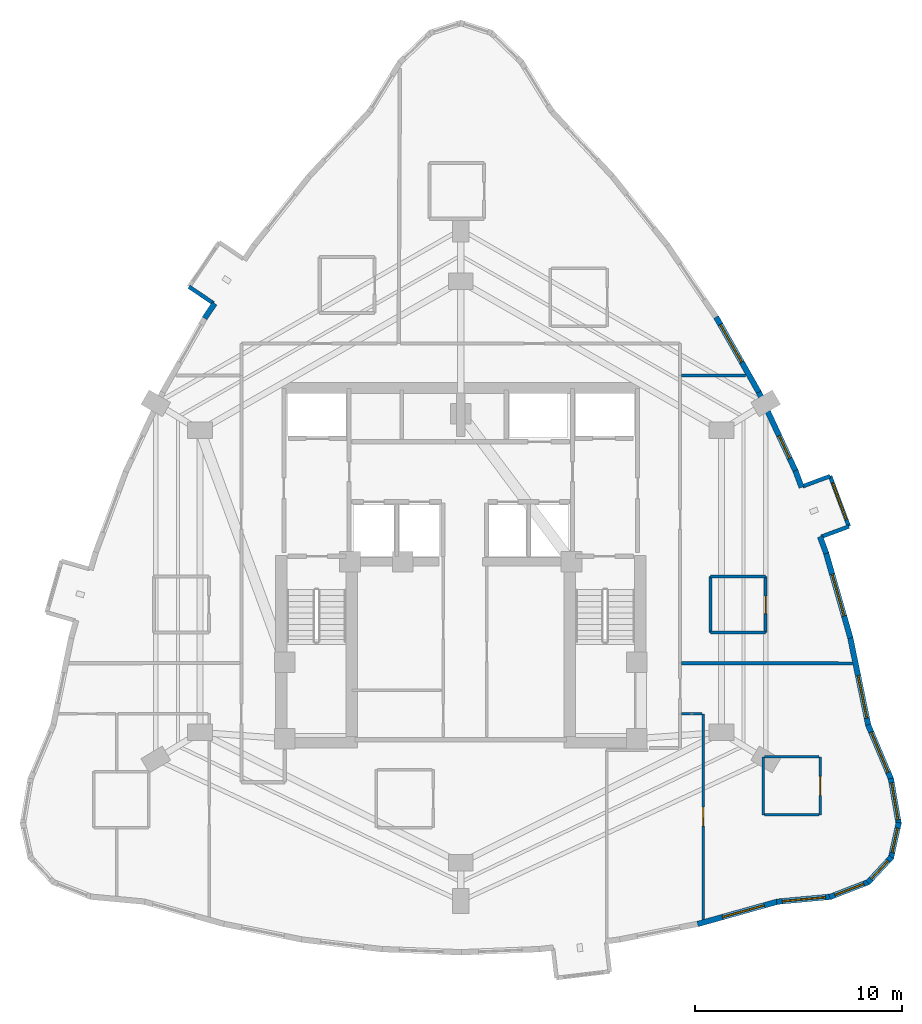
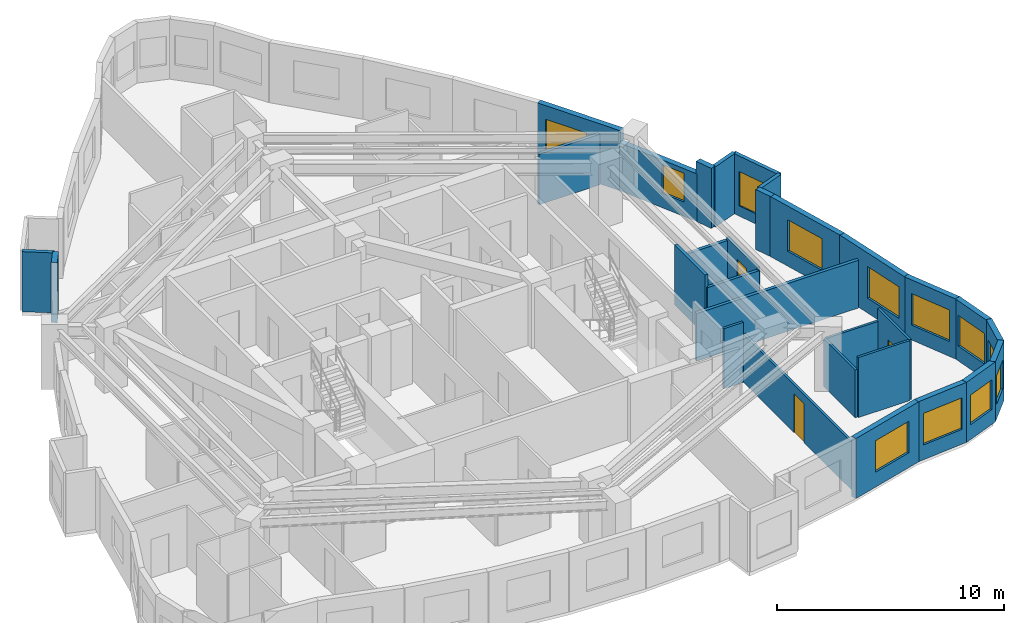
# One storey, part 6 of 9: 30 walls, 12 windows, 3 doors, 15 openings.
"""IFC4 building model written with IfcOpenShell, lengths in metres."""

from ifc_helpers import new_model, si_unit, direction, frame, frame_2d, origin, place, context, subcontext, project, spatial, rectangle, extrude, material, layer, layer_set, type_object, element, fill, save


model = new_model("IFC4")

# Units and contexts
model_context = context("Model", 3, precision=1e-05, world=origin(), true_north=direction((0.0, 1.0)))
body_context = subcontext(model_context, "Body", "Model", "MODEL_VIEW")
ifc_project = project(units=[si_unit("LENGTHUNIT", "METRE"), si_unit("AREAUNIT", "SQUARE_METRE"), si_unit("VOLUMEUNIT", "CUBIC_METRE"), si_unit("PLANEANGLEUNIT", "RADIAN"), si_unit("MASSUNIT", "GRAM", prefix="KILO")], contexts=[model_context])

# Site, building, storey
site_placement = place(None, origin())
site = spatial("IfcSite", under=ifc_project, at=site_placement, CompositionType="ELEMENT")
building_placement = place(site_placement, origin())
building = spatial("IfcBuilding", under=site, at=building_placement, Name="Miruveldt Soraemaru", CompositionType="ELEMENT")
storey_placement = place(building_placement, frame((0.0, 0.0, 170.39990234375)))
storey = spatial("IfcBuildingStorey", under=building, at=storey_placement, Name="L47", CompositionType="ELEMENT", Elevation=170.39990234375)

# Walls
ifc_material_1 = material(Name="White powder-coated aluminium EN AW-6060 T6", Category="aluminium")
ifc_layer_1 = layer(ifc_material_1, 0.18994140625, Name="White powder-coated aluminium EN AW-6060 T6", Category="aluminium")
ifc_layer_set_1 = layer_set([ifc_layer_1], Name="White powder-coated aluminium EN AW-6060 T6")
wall_type_1 = type_object("IfcWallType", Name="WALL-BAY-ALU190", PredefinedType="SOLIDWALL", material=ifc_layer_set_1)
for number, where, z_axis, x_axis, name in (
    (1, (30.864990234375, 57.342529296875, 0.0), (0.0, 0.0, 1.0), (0.827862228344, -0.560931485016, 0.0), "L47 Bay Window Side Cheek 1R"),
    (2, (61.424560546875, 45.257080078125, 0.0), (0.0, 0.0, 1.0), (0.937129361406, 0.348982177182, 0.0), "L47 Bay Window Side Cheek 4L"),
    (3, (61.8525390625, 48.19091796875, 0.0), (0.0, 0.0, 1.0), (-0.937129361406, -0.348982177182, 0.0), "L47 Bay Window Side Cheek 4R"),
):
    element("IfcWall", number, at=place(storey_placement, frame(where, z_axis=z_axis, x_axis=x_axis)), inside=storey, type_object=wall_type_1, Name=name, PredefinedType="SOLIDWALL", context=body_context, shape_type="SweptSolid", body=[
        extrude(rectangle(XDim=1.425048828125, YDim=0.18994140625, at=frame_2d((0.71240234375, 0.0))), origin(), (0.0, 0.0, 1.0), 3.235107421875),
    ])

# Wall, opening, window
wall_1_placement = place(storey_placement, frame((62.760009765625, 45.75439453125, 0.0), z_axis=(0.0, 0.0, 1.0), x_axis=(-0.349023333144, 0.937114034107, 0.0)))
wall_1 = element("IfcWall", 4, at=wall_1_placement, inside=storey, type_object=wall_type_1, Name="L47 Bay Window Front Frame 4", PredefinedType="SOLIDWALL", context=body_context, shape_type="SweptSolid", body=[
    extrude(rectangle(XDim=2.60009765625, YDim=0.18994140625, at=frame_2d((1.300048828125, 0.0))), origin(), (0.0, 0.0, 1.0), 3.235107421875),
])
opening_1_placement = place(wall_1_placement, frame((0.35009765625, 0.0, 0.550048828125)))
opening_1 = element("IfcOpeningElement", 5, at=opening_1_placement, cuts=wall_1, Name="Opening WN-6", PredefinedType="OPENING", context=body_context, shape_type="SweptSolid", body=[
    extrude(rectangle(XDim=1.89990234375, YDim=1.85009765625, at=frame_2d((0.949951171875, 0.925048828125))), frame((0.0, 0.10498046875, 0.0), z_axis=(0.0, -1.0, 0.0), x_axis=(1.0, 0.0, 0.0)), (0.0, 0.0, 1.0), 0.2099609375),
])
ifc_material_2 = material(Name="Triple low-e insulated glazing", Category="glass")
window_type_1 = type_object("IfcWindowType", Name="WIN-BAYW-1900x1850", PartitioningType="SINGLE_PANEL", PredefinedType="WINDOW", material=ifc_material_2)
window_1_placement = place(opening_1_placement, origin())
window_1 = element("IfcWindow", 6, at=window_1_placement, inside=storey, type_object=window_type_1, Name="L47 Projecting Bay Window 4", OverallHeight=1.85009765625, OverallWidth=1.89990234375, PartitioningType="SINGLE_PANEL", PredefinedType="WINDOW", context=body_context, shape_type="SweptSolid", body=[
    extrude(rectangle(XDim=1.89990234375, YDim=1.85009765625, at=frame_2d((0.949951171875, 0.925048828125))), frame((0.0, 0.030029296875, 0.0), z_axis=(0.0, -1.0, 0.0), x_axis=(1.0, 0.0, 0.0)), (0.0, 0.0, 1.0), 0.06005859375),
])
fill(opening_1, window_1)

# Wall
ifc_material_3 = material(Name="Precast concrete C45/55 (45 MPa)", Category="concrete")
ifc_layer_2 = layer(ifc_material_3, 0.27001953125, Name="Precast concrete C45/55 (45 MPa)", Category="concrete")
ifc_layer_set_2 = layer_set([ifc_layer_2], Name="Precast concrete C45/55 (45 MPa)")
wall_type_2 = type_object("IfcWallType", Name="WALL-EXT-PC270", PredefinedType="SOLIDWALL", material=ifc_layer_set_2)
wall_2_placement = place(storey_placement, frame((32.10693359375, 56.537353515625, 0.0), z_axis=(0.0, 0.0, 1.0), x_axis=(-0.560661430065, -0.828045144203, 0.0)))
element("IfcWall", 7, at=wall_2_placement, inside=storey, type_object=wall_type_2, Name="L47 Precast Pier Wall 9B", PredefinedType="SOLIDWALL", context=body_context, shape_type="SweptSolid", body=[
    extrude(rectangle(XDim=0.867431640625, YDim=0.27001953125, at=frame_2d((0.43359375, 0.0))), origin(), (0.0, 0.0, 1.0), 3.235107421875),
])

# Wall, opening, window
wall_3_placement = place(storey_placement, frame((55.44384765625, 26.54052734375, 0.0), z_axis=(0.0, 0.0, 1.0), x_axis=(0.962966528266, 0.269620966245, 0.0)))
wall_3 = element("IfcWall", 8, at=wall_3_placement, inside=storey, type_object=wall_type_2, Name="L47 Precast Concrete Facade Wall 28", PredefinedType="SOLIDWALL", context=body_context, shape_type="SweptSolid", body=[
    extrude(rectangle(XDim=4.04296875, YDim=0.27001953125, at=frame_2d((2.021484375, 0.0))), origin(), (0.0, 0.0, 1.0), 3.235107421875),
])
opening_2_placement = place(wall_3_placement, frame((1.25, 0.0, 0.800048828125)))
opening_2 = element("IfcOpeningElement", 9, at=opening_2_placement, cuts=wall_3, Name="Opening WN-1", PredefinedType="OPENING", context=body_context, shape_type="SweptSolid", body=[
    extrude(rectangle(XDim=2.10009765625, YDim=1.699951171875, at=frame_2d((1.050048828125, 0.85009765625))), frame((0.0, 0.14501953125, 0.0), z_axis=(0.0, -1.0, 0.0), x_axis=(1.0, 0.0, 0.0)), (0.0, 0.0, 1.0), 0.2900390625),
])
window_type_2 = type_object("IfcWindowType", Name="WIN-PUNCH-2100x1700", PartitioningType="SINGLE_PANEL", PredefinedType="WINDOW", material=ifc_material_2)
window_2_placement = place(opening_2_placement, origin())
window_2 = element("IfcWindow", 10, at=window_2_placement, inside=storey, type_object=window_type_2, Name="L47 Punched Triple-Glazed Window 28.1", OverallHeight=1.699951171875, OverallWidth=2.10009765625, PartitioningType="SINGLE_PANEL", PredefinedType="WINDOW", context=body_context, shape_type="SweptSolid", body=[
    extrude(rectangle(XDim=2.10009765625, YDim=1.699951171875, at=frame_2d((1.050048828125, 0.85009765625))), frame((0.0, 0.030029296875, 0.0), z_axis=(0.0, -1.0, 0.0), x_axis=(1.0, 0.0, 0.0)), (0.0, 0.0, 1.0), 0.06005859375),
])
fill(opening_2, window_2)

wall_4_placement = place(storey_placement, frame((59.2685546875, 27.617919921875, 0.0), z_axis=(0.0, 0.0, 1.0), x_axis=(0.995763558501, 0.091950723555, 0.0)))
wall_4 = element("IfcWall", 11, at=wall_4_placement, inside=storey, type_object=wall_type_2, Name="L47 Precast Concrete Facade Wall 29", PredefinedType="SOLIDWALL", context=body_context, shape_type="SweptSolid", body=[
    extrude(rectangle(XDim=2.64453125, YDim=0.27001953125, at=frame_2d((1.322265625, 0.0))), origin(), (0.0, 0.0, 1.0), 3.235107421875),
])
opening_3_placement = place(wall_4_placement, frame((0.27197265625, 0.0, 0.800048828125)))
opening_3 = element("IfcOpeningElement", 12, at=opening_3_placement, cuts=wall_4, Name="Opening WN-1", PredefinedType="OPENING", context=body_context, shape_type="SweptSolid", body=[
    extrude(rectangle(XDim=2.10009765625, YDim=1.699951171875, at=frame_2d((1.050048828125, 0.85009765625))), frame((0.0, 0.14501953125, 0.0), z_axis=(0.0, -1.0, 0.0), x_axis=(1.0, 0.0, 0.0)), (0.0, 0.0, 1.0), 0.2900390625),
])
window_3_placement = place(opening_3_placement, origin())
window_3 = element("IfcWindow", 13, at=window_3_placement, inside=storey, type_object=window_type_2, Name="L47 Punched Triple-Glazed Window 29.1", OverallHeight=1.699951171875, OverallWidth=2.10009765625, PartitioningType="SINGLE_PANEL", PredefinedType="WINDOW", context=body_context, shape_type="SweptSolid", body=[
    extrude(rectangle(XDim=2.10009765625, YDim=1.699951171875, at=frame_2d((1.050048828125, 0.85009765625))), frame((0.0, 0.030029296875, 0.0), z_axis=(0.0, -1.0, 0.0), x_axis=(1.0, 0.0, 0.0)), (0.0, 0.0, 1.0), 0.06005859375),
])
fill(opening_3, window_3)

wall_5_placement = place(storey_placement, frame((61.834228515625, 27.84521484375, 0.0), z_axis=(0.0, 0.0, 1.0), x_axis=(0.932267974852, 0.361768466101, 0.0)))
wall_5 = element("IfcWall", 14, at=wall_5_placement, inside=storey, type_object=wall_type_2, Name="L47 Precast Concrete Facade Wall 30", PredefinedType="SOLIDWALL", context=body_context, shape_type="SweptSolid", body=[
    extrude(rectangle(XDim=2.033935546875, YDim=0.27001953125, at=frame_2d((1.01708984375, 0.0))), origin(), (0.0, 0.0, 1.0), 3.235107421875),
])
opening_4_placement = place(wall_5_placement, frame((0.26708984375, 0.0, 0.800048828125)))
opening_4 = element("IfcOpeningElement", 15, at=opening_4_placement, cuts=wall_5, Name="Opening WN-3", PredefinedType="OPENING", context=body_context, shape_type="SweptSolid", body=[
    extrude(rectangle(XDim=1.5, YDim=1.60009765625, at=frame_2d((0.75, 0.800048828125))), frame((0.0, 0.14501953125, 0.0), z_axis=(0.0, -1.0, 0.0), x_axis=(1.0, 0.0, 0.0)), (0.0, 0.0, 1.0), 0.2900390625),
])
window_type_3 = type_object("IfcWindowType", Name="WIN-PUNCH-1500x1600", PartitioningType="SINGLE_PANEL", PredefinedType="WINDOW", material=ifc_material_2)
window_4_placement = place(opening_4_placement, origin())
window_4 = element("IfcWindow", 16, at=window_4_placement, inside=storey, type_object=window_type_3, Name="L47 Punched Triple-Glazed Window 30.1", OverallHeight=1.60009765625, OverallWidth=1.5, PartitioningType="SINGLE_PANEL", PredefinedType="WINDOW", context=body_context, shape_type="SweptSolid", body=[
    extrude(rectangle(XDim=1.5, YDim=1.60009765625, at=frame_2d((0.75, 0.800048828125))), frame((0.0, 0.030029296875, 0.0), z_axis=(0.0, -1.0, 0.0), x_axis=(1.0, 0.0, 0.0)), (0.0, 0.0, 1.0), 0.06005859375),
])
fill(opening_4, window_4)

wall_6_placement = place(storey_placement, frame((63.674072265625, 28.54248046875, 0.0), z_axis=(0.0, 0.0, 1.0), x_axis=(0.68010098508, 0.733118442064, 0.0)))
wall_6 = element("IfcWall", 17, at=wall_6_placement, inside=storey, type_object=wall_type_2, Name="L47 Precast Concrete Facade Wall 31", PredefinedType="SOLIDWALL", context=body_context, shape_type="SweptSolid", body=[
    extrude(rectangle(XDim=1.685302734375, YDim=0.27001953125, at=frame_2d((0.8427734375, 0.0))), origin(), (0.0, 0.0, 1.0), 3.235107421875),
])
opening_5_placement = place(wall_6_placement, frame((0.241943359375, 0.0, 0.780029296875)))
opening_5 = element("IfcOpeningElement", 18, at=opening_5_placement, cuts=wall_6, Name="Opening WN-4", PredefinedType="OPENING", context=body_context, shape_type="SweptSolid", body=[
    extrude(rectangle(XDim=1.199951171875, YDim=1.550048828125, at=frame_2d((0.60009765625, 0.77490234375))), frame((0.0, 0.14501953125, 0.0), z_axis=(0.0, -1.0, 0.0), x_axis=(1.0, 0.0, 0.0)), (0.0, 0.0, 1.0), 0.2900390625),
])
window_type_4 = type_object("IfcWindowType", Name="WIN-PUNCH-1200x1550", PartitioningType="SINGLE_PANEL", PredefinedType="WINDOW", material=ifc_material_2)
window_5_placement = place(opening_5_placement, origin())
window_5 = element("IfcWindow", 19, at=window_5_placement, inside=storey, type_object=window_type_4, Name="L47 Punched Triple-Glazed Window 31.1", OverallHeight=1.550048828125, OverallWidth=1.199951171875, PartitioningType="SINGLE_PANEL", PredefinedType="WINDOW", context=body_context, shape_type="SweptSolid", body=[
    extrude(rectangle(XDim=1.199951171875, YDim=1.550048828125, at=frame_2d((0.60009765625, 0.77490234375))), frame((0.0, 0.030029296875, 0.0), z_axis=(0.0, -1.0, 0.0), x_axis=(1.0, 0.0, 0.0)), (0.0, 0.0, 1.0), 0.06005859375),
])
fill(opening_5, window_5)

wall_7_placement = place(storey_placement, frame((64.788818359375, 29.718017578125, 0.0), z_axis=(0.0, 0.0, 1.0), x_axis=(0.215862834364, 0.976423697347, 0.0)))
wall_7 = element("IfcWall", 20, at=wall_7_placement, inside=storey, type_object=wall_type_2, Name="L47 Precast Concrete Facade Wall 32", PredefinedType="SOLIDWALL", context=body_context, shape_type="SweptSolid", body=[
    extrude(rectangle(XDim=1.767822265625, YDim=0.27001953125, at=frame_2d((0.8837890625, 0.0))), origin(), (0.0, 0.0, 1.0), 3.235107421875),
])
opening_6_placement = place(wall_7_placement, frame((0.283935546875, 0.0, 0.780029296875)))
opening_6 = element("IfcOpeningElement", 21, at=opening_6_placement, cuts=wall_7, Name="Opening WN-4", PredefinedType="OPENING", context=body_context, shape_type="SweptSolid", body=[
    extrude(rectangle(XDim=1.199951171875, YDim=1.550048828125, at=frame_2d((0.60009765625, 0.77490234375))), frame((0.0, 0.14501953125, 0.0), z_axis=(0.0, -1.0, 0.0), x_axis=(1.0, 0.0, 0.0)), (0.0, 0.0, 1.0), 0.2900390625),
])
window_6_placement = place(opening_6_placement, origin())
window_6 = element("IfcWindow", 22, at=window_6_placement, inside=storey, type_object=window_type_4, Name="L47 Punched Triple-Glazed Window 32.1", OverallHeight=1.550048828125, OverallWidth=1.199951171875, PartitioningType="SINGLE_PANEL", PredefinedType="WINDOW", context=body_context, shape_type="SweptSolid", body=[
    extrude(rectangle(XDim=1.199951171875, YDim=1.550048828125, at=frame_2d((0.60009765625, 0.77490234375))), frame((0.0, 0.030029296875, 0.0), z_axis=(0.0, -1.0, 0.0), x_axis=(1.0, 0.0, 0.0)), (0.0, 0.0, 1.0), 0.06005859375),
])
fill(opening_6, window_6)

wall_8_placement = place(storey_placement, frame((65.168701171875, 31.37548828125, 0.0), z_axis=(0.0, 0.0, 1.0), x_axis=(-0.169397854445, 0.985547749685, 0.0)))
wall_8 = element("IfcWall", 23, at=wall_8_placement, inside=storey, type_object=wall_type_2, Name="L47 Precast Concrete Facade Wall 33", PredefinedType="SOLIDWALL", context=body_context, shape_type="SweptSolid", body=[
    extrude(rectangle(XDim=2.232421875, YDim=0.27001953125, at=frame_2d((1.1162109375, 0.0))), origin(), (0.0, 0.0, 1.0), 3.235107421875),
])
opening_7_placement = place(wall_8_placement, frame((0.216064453125, 0.0, 0.800048828125)))
opening_7 = element("IfcOpeningElement", 24, at=opening_7_placement, cuts=wall_8, Name="Opening WN-2", PredefinedType="OPENING", context=body_context, shape_type="SweptSolid", body=[
    extrude(rectangle(XDim=1.800048828125, YDim=1.64990234375, at=frame_2d((0.89990234375, 0.824951171875))), frame((0.0, 0.14501953125, 0.0), z_axis=(0.0, -1.0, 0.0), x_axis=(1.0, 0.0, 0.0)), (0.0, 0.0, 1.0), 0.2900390625),
])
window_type_5 = type_object("IfcWindowType", Name="WIN-PUNCH-1800x1650", PartitioningType="SINGLE_PANEL", PredefinedType="WINDOW", material=ifc_material_2)
window_7_placement = place(opening_7_placement, origin())
window_7 = element("IfcWindow", 25, at=window_7_placement, inside=storey, type_object=window_type_5, Name="L47 Punched Triple-Glazed Window 33.1", OverallHeight=1.64990234375, OverallWidth=1.800048828125, PartitioningType="SINGLE_PANEL", PredefinedType="WINDOW", context=body_context, shape_type="SweptSolid", body=[
    extrude(rectangle(XDim=1.800048828125, YDim=1.64990234375, at=frame_2d((0.89990234375, 0.824951171875))), frame((0.0, 0.030029296875, 0.0), z_axis=(0.0, -1.0, 0.0), x_axis=(1.0, 0.0, 0.0)), (0.0, 0.0, 1.0), 0.06005859375),
])
fill(opening_7, window_7)

wall_9_placement = place(storey_placement, frame((64.81005859375, 33.5087890625, 0.0), z_axis=(0.0, 0.0, 1.0), x_axis=(-0.388603247953, 0.921405185399, 0.0)))
wall_9 = element("IfcWall", 26, at=wall_9_placement, inside=storey, type_object=wall_type_2, Name="L47 Precast Concrete Facade Wall 34", PredefinedType="SOLIDWALL", context=body_context, shape_type="SweptSolid", body=[
    extrude(rectangle(XDim=2.89697265625, YDim=0.27001953125, at=frame_2d((1.448486328125, 0.0))), origin(), (0.0, 0.0, 1.0), 3.235107421875),
])
opening_8_placement = place(wall_9_placement, frame((0.39892578125, 0.0, 0.800048828125)))
opening_8 = element("IfcOpeningElement", 27, at=opening_8_placement, cuts=wall_9, Name="Opening WN-1", PredefinedType="OPENING", context=body_context, shape_type="SweptSolid", body=[
    extrude(rectangle(XDim=2.10009765625, YDim=1.699951171875, at=frame_2d((1.050048828125, 0.85009765625))), frame((0.0, 0.14501953125, 0.0), z_axis=(0.0, -1.0, 0.0), x_axis=(1.0, 0.0, 0.0)), (0.0, 0.0, 1.0), 0.2900390625),
])
window_8_placement = place(opening_8_placement, origin())
window_8 = element("IfcWindow", 28, at=window_8_placement, inside=storey, type_object=window_type_2, Name="L47 Punched Triple-Glazed Window 34.1", OverallHeight=1.699951171875, OverallWidth=2.10009765625, PartitioningType="SINGLE_PANEL", PredefinedType="WINDOW", context=body_context, shape_type="SweptSolid", body=[
    extrude(rectangle(XDim=2.10009765625, YDim=1.699951171875, at=frame_2d((1.050048828125, 0.85009765625))), frame((0.0, 0.030029296875, 0.0), z_axis=(0.0, -1.0, 0.0), x_axis=(1.0, 0.0, 0.0)), (0.0, 0.0, 1.0), 0.06005859375),
])
fill(opening_8, window_8)

wall_10_placement = place(storey_placement, frame((63.705078125, 36.111572265625, 0.0), z_axis=(0.0, 0.0, 1.0), x_axis=(-0.20160132196, 0.979467665104, 0.0)))
wall_10 = element("IfcWall", 29, at=wall_10_placement, inside=storey, type_object=wall_type_2, Name="L47 Precast Concrete Facade Wall 35", PredefinedType="SOLIDWALL", context=body_context, shape_type="SweptSolid", body=[
    extrude(rectangle(XDim=4.40576171875, YDim=0.27001953125, at=frame_2d((2.202880859375, 0.0))), origin(), (0.0, 0.0, 1.0), 3.235107421875),
])
opening_9_placement = place(wall_10_placement, frame((0.389892578125, 0.0, 0.800048828125)))
opening_9 = element("IfcOpeningElement", 30, at=opening_9_placement, cuts=wall_10, Name="Opening WN-1", PredefinedType="OPENING", context=body_context, shape_type="SweptSolid", body=[
    extrude(rectangle(XDim=2.10009765625, YDim=1.699951171875, at=frame_2d((1.050048828125, 0.85009765625))), frame((0.0, 0.14501953125, 0.0), z_axis=(0.0, -1.0, 0.0), x_axis=(1.0, 0.0, 0.0)), (0.0, 0.0, 1.0), 0.2900390625),
])
window_9_placement = place(opening_9_placement, origin())
window_9 = element("IfcWindow", 31, at=window_9_placement, inside=storey, type_object=window_type_2, Name="L47 Punched Triple-Glazed Window 35.1", OverallHeight=1.699951171875, OverallWidth=2.10009765625, PartitioningType="SINGLE_PANEL", PredefinedType="WINDOW", context=body_context, shape_type="SweptSolid", body=[
    extrude(rectangle(XDim=2.10009765625, YDim=1.699951171875, at=frame_2d((1.050048828125, 0.85009765625))), frame((0.0, 0.030029296875, 0.0), z_axis=(0.0, -1.0, 0.0), x_axis=(1.0, 0.0, 0.0)), (0.0, 0.0, 1.0), 0.06005859375),
])
fill(opening_9, window_9)

wall_11_placement = place(storey_placement, frame((62.83349609375, 40.358642578125, 0.0), z_axis=(0.0, 0.0, 1.0), x_axis=(-0.274959546447, 0.961455796081, 0.0)))
wall_11 = element("IfcWall", 32, at=wall_11_placement, inside=storey, type_object=wall_type_2, Name="L47 Precast Concrete Facade Wall 36", PredefinedType="SOLIDWALL", context=body_context, shape_type="SweptSolid", body=[
    extrude(rectangle(XDim=4.32763671875, YDim=0.27001953125, at=frame_2d((2.163818359375, 0.0))), origin(), (0.0, 0.0, 1.0), 3.235107421875),
])
opening_10_placement = place(wall_11_placement, frame((1.114013671875, 0.0, 0.800048828125)))
opening_10 = element("IfcOpeningElement", 33, at=opening_10_placement, cuts=wall_11, Name="Opening WN-1", PredefinedType="OPENING", context=body_context, shape_type="SweptSolid", body=[
    extrude(rectangle(XDim=2.10009765625, YDim=1.699951171875, at=frame_2d((1.050048828125, 0.85009765625))), frame((0.0, 0.14501953125, 0.0), z_axis=(0.0, -1.0, 0.0), x_axis=(1.0, 0.0, 0.0)), (0.0, 0.0, 1.0), 0.2900390625),
])
window_10_placement = place(opening_10_placement, origin())
window_10 = element("IfcWindow", 34, at=window_10_placement, inside=storey, type_object=window_type_2, Name="L47 Punched Triple-Glazed Window 36.1", OverallHeight=1.699951171875, OverallWidth=2.10009765625, PartitioningType="SINGLE_PANEL", PredefinedType="WINDOW", context=body_context, shape_type="SweptSolid", body=[
    extrude(rectangle(XDim=2.10009765625, YDim=1.699951171875, at=frame_2d((1.050048828125, 0.85009765625))), frame((0.0, 0.030029296875, 0.0), z_axis=(0.0, -1.0, 0.0), x_axis=(1.0, 0.0, 0.0)), (0.0, 0.0, 1.0), 0.06005859375),
])
fill(opening_10, window_10)

# Walls
for number, where, z_axis, x_axis, name in (
    (35, (61.665283203125, 44.453125, 0.0), (0.0, 0.0, 1.0), (-0.348963652288, 0.937136259773, 0.0), "L47 Precast Pier Wall 37A"),
    (36, (60.476318359375, 47.646240234375, 0.0), (0.0, 0.0, 1.0), (-0.349302870024, 0.937009874544, 0.0), "L47 Precast Pier Wall 37B"),
):
    element("IfcWall", number, at=place(storey_placement, frame(where, z_axis=z_axis, x_axis=x_axis)), inside=storey, type_object=wall_type_2, Name=name, PredefinedType="SOLIDWALL", context=body_context, shape_type="SweptSolid", body=[
        extrude(rectangle(XDim=0.867431640625, YDim=0.27001953125, at=frame_2d((0.43359375, 0.0))), origin(), (0.0, 0.0, 1.0), 3.235107421875),
    ])

# Wall, opening, window
wall_12_placement = place(storey_placement, frame((60.200439453125, 48.39453125, 0.0), z_axis=(0.0, 0.0, 1.0), x_axis=(-0.422331680963, 0.906441366694, 0.0)))
wall_12 = element("IfcWall", 37, at=wall_12_placement, inside=storey, type_object=wall_type_2, Name="L47 Precast Concrete Facade Wall 38", PredefinedType="SOLIDWALL", context=body_context, shape_type="SweptSolid", body=[
    extrude(rectangle(XDim=4.248291015625, YDim=0.27001953125, at=frame_2d((2.1240234375, 0.0))), origin(), (0.0, 0.0, 1.0), 2.572998046875),
])
opening_11_placement = place(wall_12_placement, frame((0.72412109375, 0.0, 0.780029296875)))
opening_11 = element("IfcOpeningElement", 38, at=opening_11_placement, cuts=wall_12, Name="Opening WN-4", PredefinedType="OPENING", context=body_context, shape_type="SweptSolid", body=[
    extrude(rectangle(XDim=1.199951171875, YDim=1.550048828125, at=frame_2d((0.60009765625, 0.77490234375))), frame((0.0, 0.14501953125, 0.0), z_axis=(0.0, -1.0, 0.0), x_axis=(1.0, 0.0, 0.0)), (0.0, 0.0, 1.0), 0.2900390625),
])
window_11_placement = place(opening_11_placement, origin())
window_11 = element("IfcWindow", 39, at=window_11_placement, inside=storey, type_object=window_type_4, Name="L47 Punched Triple-Glazed Window 38.1", OverallHeight=1.550048828125, OverallWidth=1.199951171875, PartitioningType="SINGLE_PANEL", PredefinedType="WINDOW", context=body_context, shape_type="SweptSolid", body=[
    extrude(rectangle(XDim=1.199951171875, YDim=1.550048828125, at=frame_2d((0.60009765625, 0.77490234375))), frame((0.0, 0.030029296875, 0.0), z_axis=(0.0, -1.0, 0.0), x_axis=(1.0, 0.0, 0.0)), (0.0, 0.0, 1.0), 0.06005859375),
])
fill(opening_11, window_11)

wall_13_placement = place(storey_placement, frame((58.4384765625, 52.183349609375, 0.0), z_axis=(0.0, 0.0, 1.0), x_axis=(-0.493382289932, 0.869812575203, 0.0)))
wall_13 = element("IfcWall", 40, at=wall_13_placement, inside=storey, type_object=wall_type_2, Name="L47 Precast Concrete Facade Wall 39", PredefinedType="SOLIDWALL", context=body_context, shape_type="SweptSolid", body=[
    extrude(rectangle(XDim=4.248046875, YDim=0.27001953125, at=frame_2d((2.1240234375, 0.0))), origin(), (0.0, 0.0, 1.0), 3.235107421875),
])
opening_12_placement = place(wall_13_placement, frame((1.735107421875, 0.0, 0.800048828125)))
opening_12 = element("IfcOpeningElement", 41, at=opening_12_placement, cuts=wall_13, Name="Opening WN-1", PredefinedType="OPENING", context=body_context, shape_type="SweptSolid", body=[
    extrude(rectangle(XDim=2.10009765625, YDim=1.699951171875, at=frame_2d((1.050048828125, 0.85009765625))), frame((0.0, 0.14501953125, 0.0), z_axis=(0.0, -1.0, 0.0), x_axis=(1.0, 0.0, 0.0)), (0.0, 0.0, 1.0), 0.2900390625),
])
window_12_placement = place(opening_12_placement, origin())
window_12 = element("IfcWindow", 42, at=window_12_placement, inside=storey, type_object=window_type_2, Name="L47 Punched Triple-Glazed Window 39.1", OverallHeight=1.699951171875, OverallWidth=2.10009765625, PartitioningType="SINGLE_PANEL", PredefinedType="WINDOW", context=body_context, shape_type="SweptSolid", body=[
    extrude(rectangle(XDim=2.10009765625, YDim=1.699951171875, at=frame_2d((1.050048828125, 0.85009765625))), frame((0.0, 0.030029296875, 0.0), z_axis=(0.0, -1.0, 0.0), x_axis=(1.0, 0.0, 0.0)), (0.0, 0.0, 1.0), 0.06005859375),
])
fill(opening_12, window_12)

# Wall, opening, door
ifc_material_4 = material(Name="Gypsum plasterboard lining", Category="gypsum")
ifc_layer_3 = layer(ifc_material_4, 0.1201171875, Name="Gypsum plasterboard lining", Category="gypsum")
ifc_layer_set_3 = layer_set([ifc_layer_3], Name="Gypsum plasterboard lining")
wall_type_3 = type_object("IfcWallType", Name="WALL-INT-P120", PredefinedType="PARTITIONING", material=ifc_layer_set_3)
wall_14_placement = place(storey_placement, frame((55.72900390625, 36.700927734375, 0.0), z_axis=(0.0, 0.0, 1.0), x_axis=(-0.001917730597, -0.999998161153, 0.0)))
wall_14 = element("IfcWall", 43, at=wall_14_placement, inside=storey, type_object=wall_type_3, Name="L47 Partition Wall 45", PredefinedType="PARTITIONING", context=body_context, shape_type="SweptSolid", body=[
    extrude(rectangle(XDim=9.929931640625, YDim=0.1201171875, at=frame_2d((4.96484375, 0.0))), origin(), (0.0, 0.0, 1.0), 2.572998046875),
])
opening_13_placement = place(wall_14_placement, frame((4.5048828125, 0.0, 0.0)))
opening_13 = element("IfcOpeningElement", 44, at=opening_13_placement, cuts=wall_14, Name="Opening D3A", PredefinedType="OPENING", context=body_context, shape_type="SweptSolid", body=[
    extrude(rectangle(XDim=0.919921875, YDim=2.10009765625, at=frame_2d((0.4599609375, 1.050048828125))), frame((0.0, 0.070068359375, 0.0), z_axis=(0.0, -1.0, 0.0), x_axis=(1.0, 0.0, 0.0)), (0.0, 0.0, 1.0), 0.14013671875),
])
ifc_material_5 = material(Name="Anodised aluminium EN AW-6063 T6", Category="aluminium")
door_type_1 = type_object("IfcDoorType", Name="DOOR-INT-920", OperationType="NOTDEFINED", PredefinedType="DOOR", material=ifc_material_5)
door_1_placement = place(opening_13_placement, origin())
door_1 = element("IfcDoor", 45, at=door_1_placement, inside=storey, type_object=door_type_1, Name="L47 Unit 4705 BD1 Door", OperationType="SINGLE_SWING_LEFT", OverallHeight=2.10009765625, OverallWidth=0.919921875, PredefinedType="DOOR", context=body_context, shape_type="SweptSolid", body=[
    extrude(rectangle(XDim=0.919921875, YDim=2.10009765625, at=frame_2d((0.4599609375, 1.050048828125))), frame((0.0, 0.02490234375, 0.0), z_axis=(0.0, -1.0, 0.0), x_axis=(1.0, 0.0, 0.0)), (0.0, 0.0, 1.0), 0.050048828125),
])
fill(opening_13, door_1)

wall_15_placement = place(storey_placement, frame((61.3798828125, 31.81494140625, 0.0), z_axis=(0.0, 0.0, 1.0), x_axis=(0.0, 1.0, 0.0)))
wall_15 = element("IfcWall", 46, at=wall_15_placement, inside=storey, type_object=wall_type_3, Name="L47 Partition Wall 40", PredefinedType="PARTITIONING", context=body_context, shape_type="SweptSolid", body=[
    extrude(rectangle(XDim=2.800048828125, YDim=0.1201171875, at=frame_2d((1.39990234375, 0.0))), origin(), (0.0, 0.0, 1.0), 3.235107421875),
])
opening_14_placement = place(wall_15_placement, frame((0.93994140625, 0.0, 0.0)))
opening_14 = element("IfcOpeningElement", 47, at=opening_14_placement, cuts=wall_15, Name="Opening D3A", PredefinedType="OPENING", context=body_context, shape_type="SweptSolid", body=[
    extrude(rectangle(XDim=0.919921875, YDim=2.10009765625, at=frame_2d((0.4599609375, 1.050048828125))), frame((0.0, 0.070068359375, 0.0), z_axis=(0.0, -1.0, 0.0), x_axis=(1.0, 0.0, 0.0)), (0.0, 0.0, 1.0), 0.14013671875),
])
door_2_placement = place(opening_14_placement, origin())
door_2 = element("IfcDoor", 48, at=door_2_placement, inside=storey, type_object=door_type_1, Name="L47 Unit 4705 KIT Door", OperationType="SINGLE_SWING_RIGHT", OverallHeight=2.10009765625, OverallWidth=0.919921875, PredefinedType="DOOR", context=body_context, shape_type="SweptSolid", body=[
    extrude(rectangle(XDim=0.919921875, YDim=2.10009765625, at=frame_2d((0.4599609375, 1.050048828125))), frame((0.0, 0.02490234375, 0.0), z_axis=(0.0, -1.0, 0.0), x_axis=(1.0, 0.0, 0.0)), (0.0, 0.0, 1.0), 0.050048828125),
])
fill(opening_14, door_2)

# Walls
wall_16_placement = place(storey_placement, frame((58.6298828125, 34.614990234375, 0.0), z_axis=(0.0, 0.0, 1.0), x_axis=(0.0, -1.0, 0.0)))
element("IfcWall", 49, at=wall_16_placement, inside=storey, type_object=wall_type_3, Name="L47 Partition Wall 42", PredefinedType="PARTITIONING", context=body_context, shape_type="SweptSolid", body=[
    extrude(rectangle(XDim=2.800048828125, YDim=0.1201171875, at=frame_2d((1.39990234375, 0.0))), origin(), (0.0, 0.0, 1.0), 2.572998046875),
])
wall_17_placement = place(storey_placement, frame((61.320068359375, 34.614990234375, 0.0), z_axis=(0.0, 0.0, 1.0), x_axis=(-1.0, 0.0, 0.0)))
element("IfcWall", 50, at=wall_17_placement, inside=storey, type_object=wall_type_3, Name="L47 Partition Wall 41", PredefinedType="PARTITIONING", context=body_context, shape_type="SweptSolid", body=[
    extrude(rectangle(XDim=2.630126953125, YDim=0.1201171875, at=frame_2d((1.31494140625, 0.0))), origin(), (0.0, 0.0, 1.0), 2.572998046875),
])
wall_18_placement = place(storey_placement, frame((58.68994140625, 31.81494140625, 0.0), z_axis=(0.0, 0.0, 1.0), x_axis=(1.0, 0.0, 0.0)))
element("IfcWall", 51, at=wall_18_placement, inside=storey, type_object=wall_type_3, Name="L47 Partition Wall 43", PredefinedType="PARTITIONING", context=body_context, shape_type="SweptSolid", body=[
    extrude(rectangle(XDim=2.630126953125, YDim=0.1201171875, at=frame_2d((1.31494140625, 0.0))), origin(), (0.0, 0.0, 1.0), 3.235107421875),
])
wall_19_placement = place(storey_placement, frame((54.659912109375, 36.700927734375, 0.0), z_axis=(0.0, 0.0, 1.0), x_axis=(1.0, 0.0, 0.0)))
element("IfcWall", 52, at=wall_19_placement, inside=storey, type_object=wall_type_3, Name="L47 Partition Wall 44", PredefinedType="PARTITIONING", context=body_context, shape_type="SweptSolid", body=[
    extrude(rectangle(XDim=1.009033203125, YDim=0.1201171875, at=frame_2d((0.50439453125, 0.0))), origin(), (0.0, 0.0, 1.0), 3.235107421875),
])

# Wall, opening, door
ifc_layer_4 = layer(ifc_material_4, 0.14990234375, Name="Gypsum plasterboard lining", Category="gypsum")
ifc_layer_set_4 = layer_set([ifc_layer_4], Name="Gypsum plasterboard lining")
wall_type_4 = type_object("IfcWallType", Name="WALL-INT-PLUMB", PredefinedType="PLUMBINGWALL", material=ifc_layer_set_4)
wall_20_placement = place(storey_placement, frame((58.72998046875, 40.631103515625, 0.0), z_axis=(0.0, 0.0, 1.0), x_axis=(0.0, 1.0, 0.0)))
wall_20 = element("IfcWall", 53, at=wall_20_placement, inside=storey, type_object=wall_type_4, Name="L47 Partition Wall 47", PredefinedType="PLUMBINGWALL", context=body_context, shape_type="SweptSolid", body=[
    extrude(rectangle(XDim=2.699951171875, YDim=0.14990234375, at=frame_2d((1.35009765625, 0.0))), origin(), (0.0, 0.0, 1.0), 2.72314453125),
])
opening_15_placement = place(wall_20_placement, frame((0.909912109375, 0.0, 0.0)))
opening_15 = element("IfcOpeningElement", 54, at=opening_15_placement, cuts=wall_20, Name="Opening FD3", PredefinedType="OPENING", context=body_context, shape_type="SweptSolid", body=[
    extrude(rectangle(XDim=0.85009765625, YDim=2.10009765625, at=frame_2d((0.425048828125, 1.050048828125))), frame((0.0, 0.0849609375, 0.0), z_axis=(0.0, -1.0, 0.0), x_axis=(1.0, 0.0, 0.0)), (0.0, 0.0, 1.0), 0.169921875),
])
door_type_2 = type_object("IfcDoorType", Name="DOOR-FD3-850", OperationType="NOTDEFINED", PredefinedType="DOOR", material=ifc_material_5)
door_3_placement = place(opening_15_placement, origin())
door_3 = element("IfcDoor", 55, at=door_3_placement, inside=storey, type_object=door_type_2, Name="L47 Unit CL06 BTH Door", OperationType="SINGLE_SWING_LEFT", OverallHeight=2.10009765625, OverallWidth=0.85009765625, PredefinedType="DOOR", context=body_context, shape_type="SweptSolid", body=[
    extrude(rectangle(XDim=0.85009765625, YDim=2.10009765625, at=frame_2d((0.425048828125, 1.050048828125))), frame((0.0, 0.02490234375, 0.0), z_axis=(0.0, -1.0, 0.0), x_axis=(1.0, 0.0, 0.0)), (0.0, 0.0, 1.0), 0.050048828125),
])
fill(opening_15, door_3)

# Walls
wall_21_placement = place(storey_placement, frame((56.080078125, 43.3310546875, 0.0), z_axis=(0.0, 0.0, 1.0), x_axis=(0.0, -1.0, 0.0)))
element("IfcWall", 56, at=wall_21_placement, inside=storey, type_object=wall_type_4, Name="L47 Partition Wall 49", PredefinedType="PLUMBINGWALL", context=body_context, shape_type="SweptSolid", body=[
    extrude(rectangle(XDim=2.699951171875, YDim=0.14990234375, at=frame_2d((1.35009765625, 0.0))), origin(), (0.0, 0.0, 1.0), 3.235107421875),
])
for number, where, z_axis, x_axis, name in (
    (57, (58.72998046875, 43.3310546875, 0.0), (0.0, 0.0, 1.0), (-1.0, 0.0, 0.0), "L47 Partition Wall 48"),
    (58, (56.080078125, 40.631103515625, 0.0), (0.0, 0.0, 1.0), (1.0, 0.0, 0.0), "L47 Partition Wall 50"),
):
    element("IfcWall", number, at=place(storey_placement, frame(where, z_axis=z_axis, x_axis=x_axis)), inside=storey, type_object=wall_type_4, Name=name, PredefinedType="PLUMBINGWALL", context=body_context, shape_type="SweptSolid", body=[
        extrude(rectangle(XDim=2.64990234375, YDim=0.14990234375, at=frame_2d((1.324951171875, 0.0))), origin(), (0.0, 0.0, 1.0), 2.572998046875),
    ])
ifc_material_6 = material(Name="Concrete C40/50 (40 MPa)", Category="concrete")
ifc_layer_5 = layer(ifc_material_6, 0.159912109375, Name="Concrete C40/50 (40 MPa)", Category="concrete")
ifc_layer_set_5 = layer_set([ifc_layer_5], Name="Concrete C40/50 (40 MPa)")
wall_type_5 = type_object("IfcWallType", Name="WALL-INT-RC160", PredefinedType="SOLIDWALL", material=ifc_layer_set_5)
wall_22_placement = place(storey_placement, frame((62.928955078125, 39.136962890625, 0.0), z_axis=(0.0, 0.0, 1.0), x_axis=(-0.999998577036, 0.001686987063, 0.0)))
element("IfcWall", 59, at=wall_22_placement, inside=storey, type_object=wall_type_5, Name="L47 Partition Wall 46", PredefinedType="SOLIDWALL", context=body_context, shape_type="SweptSolid", body=[
    extrude(rectangle(XDim=8.2490234375, YDim=0.159912109375, at=frame_2d((4.12451171875, 0.0))), origin(), (0.0, 0.0, 1.0), 2.572998046875),
])
wall_23_placement = place(storey_placement, frame((54.679931640625, 53.050048828125, 0.0), z_axis=(0.0, 0.0, 1.0), x_axis=(1.0, 0.0, 0.0)))
element("IfcWall", 60, at=wall_23_placement, inside=storey, type_object=wall_type_5, Name="L47 Partition Wall 25", PredefinedType="SOLIDWALL", context=body_context, shape_type="SweptSolid", body=[
    extrude(rectangle(XDim=3.093994140625, YDim=0.159912109375, at=frame_2d((1.546875, 0.0))), origin(), (0.0, 0.0, 1.0), 2.72314453125),
])

save(model, "model.ifc")
